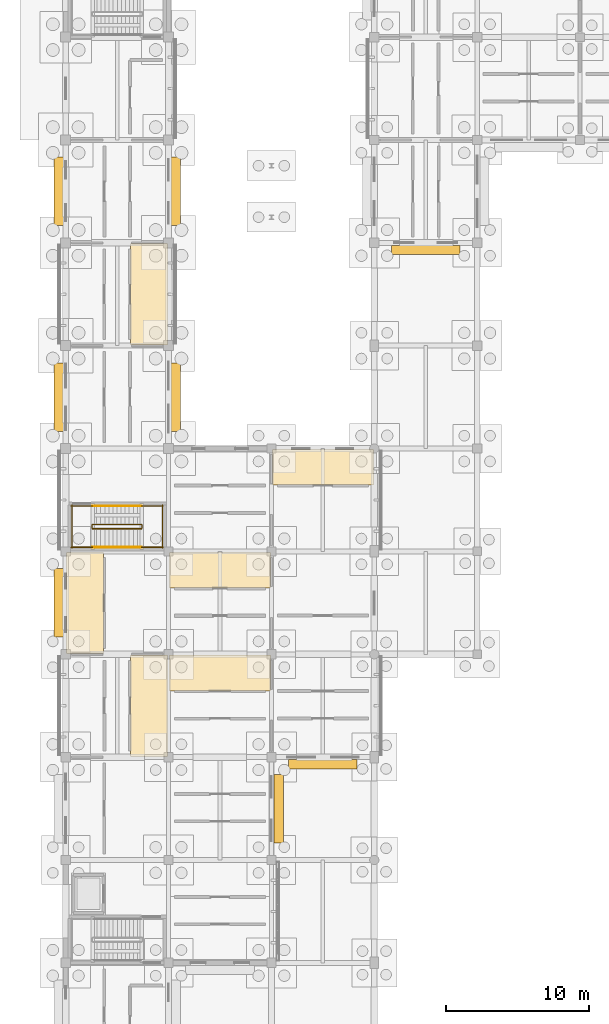
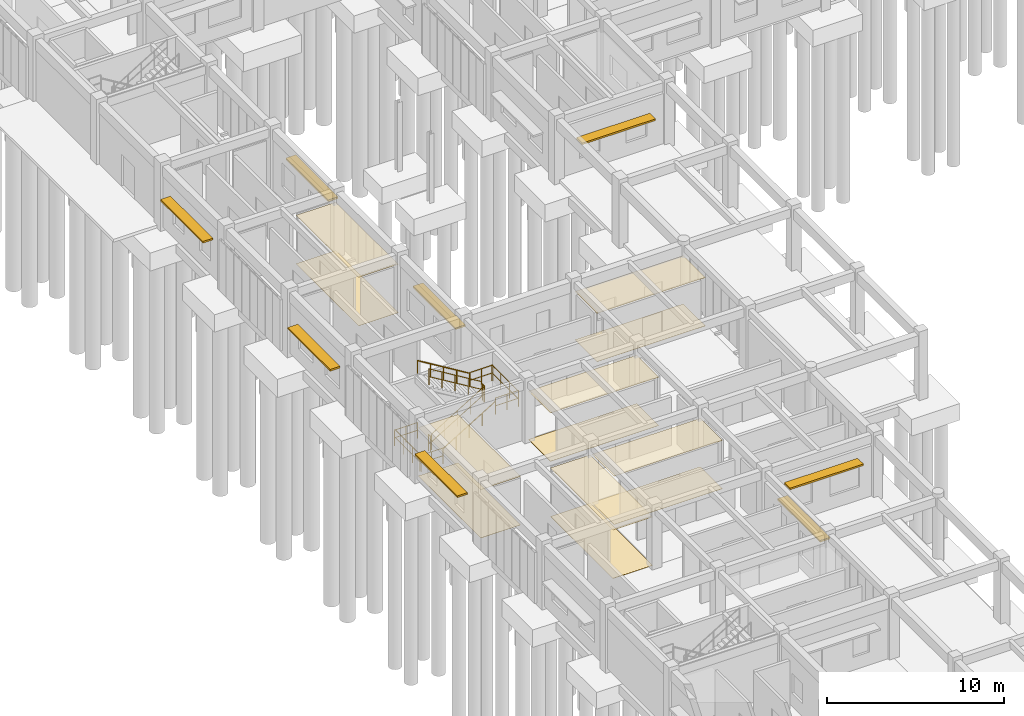
# One storey, part 92 of 111: 12 coverings, 12 railings, 8 shading devices.
"""IFC4 building model written with IfcOpenShell, lengths in metres."""

from ifc_helpers import new_model, si_unit, direction, frame, origin, origin_2d, place, context, subcontext, project, spatial, polyline, rectangle, circle, outline, extrude, material, layer, layer_set, type_object, element, save


model = new_model("IFC4")

# Units and contexts
model_context = context("Model", 3, precision=1e-05, world=origin(), true_north=direction((0.0, 1.0)))
body_context = subcontext(model_context, "Body", "Model", "MODEL_VIEW")
ifc_project = project(units=[si_unit("LENGTHUNIT", "METRE"), si_unit("AREAUNIT", "SQUARE_METRE"), si_unit("VOLUMEUNIT", "CUBIC_METRE"), si_unit("PLANEANGLEUNIT", "RADIAN"), si_unit("MASSUNIT", "GRAM", prefix="KILO")], contexts=[model_context])

# Site, building, storey
site_placement = place(None, origin())
site = spatial("IfcSite", under=ifc_project, at=site_placement, CompositionType="ELEMENT")
building_placement = place(site_placement, origin())
building = spatial("IfcBuilding", under=site, at=building_placement, Name="Aldebral Square Health Centre", CompositionType="ELEMENT")
storey_placement = place(building_placement, origin())
storey = spatial("IfcBuildingStorey", under=building, at=storey_placement, Name="L00", CompositionType="ELEMENT", Elevation=0.0)

# Coverings
ifc_material_1 = material(Name="Hygienic acoustic mineral ceiling tile")
ifc_layer_1 = layer(ifc_material_1, 0.02001953125, Name="Hygienic acoustic mineral ceiling tile")
ifc_layer_set_1 = layer_set([ifc_layer_1], Name="Hygienic acoustic mineral ceiling tile")
covering_type_1 = type_object("IfcCoveringType", Name="COV-CLG-AC", PredefinedType="CEILING", material=ifc_layer_set_1)
covering_1_placement = place(storey_placement, frame((0.0, 0.0, 3.340087890625)))
element("IfcCovering", 1, at=covering_1_placement, inside=storey, type_object=covering_type_1, Name="L00 General Consulting Room 1.8W acoustic ceiling", PredefinedType="CEILING", context=body_context, shape_type="SweptSolid", body=[
    extrude(outline(polyline([(0.06005859375, 50.4599609375), (2.659912109375, 50.4599609375), (2.659912109375, 57.5400390625), (0.06005859375, 57.5400390625), (0.06005859375, 50.4599609375)])), origin(), (0.0, 0.0, 1.0), 0.02001953125),
])
covering_2_placement = place(storey_placement, frame((0.0, 0.0, 3.340087890625)))
element("IfcCovering", 2, at=covering_2_placement, inside=storey, type_object=covering_type_1, Name="L00 Clean Clinical Store 1.11E acoustic ceiling", PredefinedType="CEILING", context=body_context, shape_type="SweptSolid", body=[
    extrude(outline(polyline([(4.5400390625, 72.06005859375), (7.139892578125, 72.06005859375), (7.139892578125, 79.139892578125), (4.5400390625, 79.139892578125), (4.5400390625, 72.06005859375)])), origin(), (0.0, 0.0, 1.0), 0.02001953125),
])
covering_3_placement = place(storey_placement, frame((0.0, 0.0, 3.340087890625)))
element("IfcCovering", 3, at=covering_3_placement, inside=storey, type_object=covering_type_1, Name="L00 Accessible WC 2.8N acoustic ceiling", PredefinedType="CEILING", context=body_context, shape_type="SweptSolid", body=[
    extrude(outline(polyline([(7.260009765625, 55.0400390625), (14.340087890625, 55.0400390625), (14.340087890625, 57.5400390625), (7.260009765625, 57.5400390625), (7.260009765625, 55.0400390625)])), origin(), (0.0, 0.0, 1.0), 0.02001953125),
])
covering_4_placement = place(storey_placement, frame((0.0, 0.0, 3.340087890625)))
element("IfcCovering", 4, at=covering_4_placement, inside=storey, type_object=covering_type_1, Name="L00 Patient Toilet 3.9N acoustic ceiling", PredefinedType="CEILING", context=body_context, shape_type="SweptSolid", body=[
    extrude(outline(polyline([(14.4599609375, 62.239990234375), (21.5400390625, 62.239990234375), (21.5400390625, 64.739990234375), (14.4599609375, 64.739990234375), (14.4599609375, 62.239990234375)])), origin(), (0.0, 0.0, 1.0), 0.02001953125),
])
covering_5_placement = place(storey_placement, frame((0.0, 0.0, 3.340087890625)))
element("IfcCovering", 5, at=covering_5_placement, inside=storey, type_object=covering_type_1, Name="L00 Community Room 1.7E acoustic ceiling", PredefinedType="CEILING", context=body_context, shape_type="SweptSolid", body=[
    extrude(outline(polyline([(4.5400390625, 43.260009765625), (7.139892578125, 43.260009765625), (7.139892578125, 50.340087890625), (4.5400390625, 50.340087890625), (4.5400390625, 43.260009765625)])), origin(), (0.0, 0.0, 1.0), 0.02001953125),
])
covering_6_placement = place(storey_placement, frame((0.0, 0.0, 3.340087890625)))
element("IfcCovering", 6, at=covering_6_placement, inside=storey, type_object=covering_type_1, Name="L00 Nutrition Teaching Studio 2.7N acoustic ceiling", PredefinedType="CEILING", context=body_context, shape_type="SweptSolid", body=[
    extrude(outline(polyline([(7.260009765625, 47.840087890625), (14.340087890625, 47.840087890625), (14.340087890625, 50.340087890625), (7.260009765625, 50.340087890625), (7.260009765625, 47.840087890625)])), origin(), (0.0, 0.0, 1.0), 0.02001953125),
])
ifc_material_2 = material(Name="Antimicrobial clinical vinyl flooring")
ifc_layer_2 = layer(ifc_material_2, 0.014892578125, Name="Antimicrobial clinical vinyl flooring")
ifc_layer_set_2 = layer_set([ifc_layer_2], Name="Antimicrobial clinical vinyl flooring")
covering_type_2 = type_object("IfcCoveringType", Name="COV-FLR-VN", PredefinedType="FLOORING", material=ifc_layer_set_2)
covering_7_placement = place(storey_placement, origin())
element("IfcCovering", 7, at=covering_7_placement, inside=storey, type_object=covering_type_2, Name="L00 General Consulting Room 1.8W clinical flooring", PredefinedType="FLOORING", context=body_context, shape_type="SweptSolid", body=[
    extrude(outline(polyline([(0.06005859375, 50.4599609375), (2.659912109375, 50.4599609375), (2.659912109375, 57.5400390625), (0.06005859375, 57.5400390625), (0.06005859375, 50.4599609375)])), origin(), (0.0, 0.0, 1.0), 0.014892578125),
])
covering_8_placement = place(storey_placement, origin())
element("IfcCovering", 8, at=covering_8_placement, inside=storey, type_object=covering_type_2, Name="L00 Clean Clinical Store 1.11E clinical flooring", PredefinedType="FLOORING", context=body_context, shape_type="SweptSolid", body=[
    extrude(outline(polyline([(4.5400390625, 72.06005859375), (7.139892578125, 72.06005859375), (7.139892578125, 79.139892578125), (4.5400390625, 79.139892578125), (4.5400390625, 72.06005859375)])), origin(), (0.0, 0.0, 1.0), 0.014892578125),
])
covering_9_placement = place(storey_placement, origin())
element("IfcCovering", 9, at=covering_9_placement, inside=storey, type_object=covering_type_2, Name="L00 Accessible WC 2.8N clinical flooring", PredefinedType="FLOORING", context=body_context, shape_type="SweptSolid", body=[
    extrude(outline(polyline([(7.260009765625, 55.0400390625), (14.340087890625, 55.0400390625), (14.340087890625, 57.5400390625), (7.260009765625, 57.5400390625), (7.260009765625, 55.0400390625)])), origin(), (0.0, 0.0, 1.0), 0.014892578125),
])
covering_10_placement = place(storey_placement, origin())
element("IfcCovering", 10, at=covering_10_placement, inside=storey, type_object=covering_type_2, Name="L00 Patient Toilet 3.9N clinical flooring", PredefinedType="FLOORING", context=body_context, shape_type="SweptSolid", body=[
    extrude(outline(polyline([(14.4599609375, 62.239990234375), (21.5400390625, 62.239990234375), (21.5400390625, 64.739990234375), (14.4599609375, 64.739990234375), (14.4599609375, 62.239990234375)])), origin(), (0.0, 0.0, 1.0), 0.014892578125),
])
covering_11_placement = place(storey_placement, origin())
element("IfcCovering", 11, at=covering_11_placement, inside=storey, type_object=covering_type_2, Name="L00 Community Room 1.7E clinical flooring", PredefinedType="FLOORING", context=body_context, shape_type="SweptSolid", body=[
    extrude(outline(polyline([(4.5400390625, 43.260009765625), (7.139892578125, 43.260009765625), (7.139892578125, 50.340087890625), (4.5400390625, 50.340087890625), (4.5400390625, 43.260009765625)])), origin(), (0.0, 0.0, 1.0), 0.014892578125),
])
covering_12_placement = place(storey_placement, origin())
element("IfcCovering", 12, at=covering_12_placement, inside=storey, type_object=covering_type_2, Name="L00 Nutrition Teaching Studio 2.7N clinical flooring", PredefinedType="FLOORING", context=body_context, shape_type="SweptSolid", body=[
    extrude(outline(polyline([(7.260009765625, 47.840087890625), (14.340087890625, 47.840087890625), (14.340087890625, 50.340087890625), (7.260009765625, 50.340087890625), (7.260009765625, 47.840087890625)])), origin(), (0.0, 0.0, 1.0), 0.014892578125),
])

# Railings
ifc_material_3 = material(Name="Painted steel S355JR stair guard", Category="steel")
railing_type_1 = type_object("IfcRailingType", Name="RL-ST-GRD", PredefinedType="GUARDRAIL", material=ifc_material_3)
railing_1_placement = place(storey_placement, frame((1.8798828125, 59.18994140625, 0.173095703125)))
element("IfcRailing", 13, at=railing_1_placement, inside=storey, type_object=railing_type_1, Name="L00 ST-11 stair guard 1", PredefinedType="GUARDRAIL", context=body_context, shape_type="SweptSolid", body=[
    extrude(circle(Radius=0.02392578125, at=origin_2d()), frame((0.0, 0.0, 1.09619140625), z_axis=(0.854745945586, 0.0, 0.519046595696), x_axis=(0.0, 1.0, 0.0)), (0.0, 0.0, 1.0), 4.00146484375),
    extrude(circle(Radius=0.02392578125, at=origin_2d()), frame((0.0, 0.0, 0.56005859375), z_axis=(0.854745945586, 0.0, 0.519046595696), x_axis=(0.0, 1.0, 0.0)), (0.0, 0.0, 1.0), 4.00146484375),
    extrude(circle(Radius=0.02099609375, at=origin_2d()), origin(), (0.0, 0.0, 1.0), 1.072021484375),
    extrude(circle(Radius=0.02099609375, at=origin_2d()), frame((0.85498046875, 0.0, 0.519287109375)), (0.0, 0.0, 1.0), 1.072021484375),
    extrude(circle(Radius=0.02099609375, at=origin_2d()), frame((1.7099609375, 0.0, 1.03857421875)), (0.0, 0.0, 1.0), 1.072021484375),
    extrude(circle(Radius=0.02099609375, at=origin_2d()), frame((2.565185546875, 0.0, 1.5576171875)), (0.0, 0.0, 1.0), 1.072021484375),
    extrude(circle(Radius=0.02099609375, at=origin_2d()), frame((3.420166015625, 0.0, 2.076904296875)), (0.0, 0.0, 1.0), 1.072021484375),
])
railing_2_placement = place(storey_placement, frame((5.35009765625, 59.239990234375, 2.25)))
element("IfcRailing", 14, at=railing_2_placement, inside=storey, type_object=railing_type_1, Name="L00 ST-11 stair guard 2", PredefinedType="GUARDRAIL", context=body_context, shape_type="SweptSolid", body=[
    extrude(circle(Radius=0.02392578125, at=origin_2d()), frame((0.0, 0.0, 1.09619140625), z_axis=(0.0, 1.0, 0.0), x_axis=(-1.0, 0.0, 0.0)), (0.0, 0.0, 1.0), 0.199951171875),
    extrude(circle(Radius=0.02392578125, at=origin_2d()), frame((0.0, 0.0, 0.56005859375), z_axis=(0.0, 1.0, 0.0), x_axis=(-1.0, 0.0, 0.0)), (0.0, 0.0, 1.0), 0.199951171875),
    extrude(circle(Radius=0.02099609375, at=origin_2d()), origin(), (0.0, 0.0, 1.0), 1.072021484375),
    extrude(circle(Radius=0.02099609375, at=origin_2d()), frame((0.0, 0.199951171875, 0.0)), (0.0, 0.0, 1.0), 1.072021484375),
])
for number, where, name in (
    (15, (5.300048828125, 57.889892578125, 2.25), "L00 ST-11 stair guard 3"),
    (16, (5.300048828125, 60.7900390625, 2.25), "L00 ST-11 stair guard 4"),
):
    element("IfcRailing", number, at=place(storey_placement, frame(where)), inside=storey, type_object=railing_type_1, Name=name, PredefinedType="GUARDRAIL", context=body_context, shape_type="SweptSolid", body=[
        extrude(circle(Radius=0.02392578125, at=origin_2d()), frame((0.0, 0.0, 1.09619140625), z_axis=(1.0, 0.0, 0.0), x_axis=(0.0, 1.0, 0.0)), (0.0, 0.0, 1.0), 1.52001953125),
        extrude(circle(Radius=0.02392578125, at=origin_2d()), frame((0.0, 0.0, 0.56005859375), z_axis=(1.0, 0.0, 0.0), x_axis=(0.0, 1.0, 0.0)), (0.0, 0.0, 1.0), 1.52001953125),
        extrude(circle(Radius=0.02099609375, at=origin_2d()), origin(), (0.0, 0.0, 1.0), 1.072021484375),
        extrude(circle(Radius=0.02099609375, at=origin_2d()), frame((0.760009765625, 0.0, 0.0)), (0.0, 0.0, 1.0), 1.072021484375),
        extrude(circle(Radius=0.02099609375, at=origin_2d()), frame((1.52001953125, 0.0, 0.0)), (0.0, 0.0, 1.0), 1.072021484375),
    ])
railing_3_placement = place(storey_placement, frame((6.77001953125, 57.840087890625, 2.25)))
element("IfcRailing", 17, at=railing_3_placement, inside=storey, type_object=railing_type_1, Name="L00 ST-11 stair guard 5", PredefinedType="GUARDRAIL", context=body_context, shape_type="SweptSolid", body=[
    extrude(circle(Radius=0.02392578125, at=origin_2d()), frame((0.0, 0.0, 1.09619140625), z_axis=(0.0, 1.0, 0.0), x_axis=(-1.0, 0.0, 0.0)), (0.0, 0.0, 1.0), 3.0),
    extrude(circle(Radius=0.02392578125, at=origin_2d()), frame((0.0, 0.0, 0.56005859375), z_axis=(0.0, 1.0, 0.0), x_axis=(-1.0, 0.0, 0.0)), (0.0, 0.0, 1.0), 3.0),
    extrude(circle(Radius=0.02099609375, at=origin_2d()), origin(), (0.0, 0.0, 1.0), 1.072021484375),
    extrude(circle(Radius=0.02099609375, at=origin_2d()), frame((0.0, 1.0, 0.0)), (0.0, 0.0, 1.0), 1.072021484375),
    extrude(circle(Radius=0.02099609375, at=origin_2d()), frame((0.0, 2.0, 0.0)), (0.0, 0.0, 1.0), 1.072021484375),
    extrude(circle(Radius=0.02099609375, at=origin_2d()), frame((0.0, 3.0, 0.0)), (0.0, 0.0, 1.0), 1.072021484375),
])
railing_4_placement = place(storey_placement, frame((5.300048828125, 59.489990234375, 2.423095703125)))
element("IfcRailing", 18, at=railing_4_placement, inside=storey, type_object=railing_type_1, Name="L00 ST-11 stair guard 6", PredefinedType="GUARDRAIL", context=body_context, shape_type="SweptSolid", body=[
    extrude(circle(Radius=0.02392578125, at=origin_2d()), frame((0.0, 0.0, 1.09619140625), z_axis=(-0.854745945586, 0.0, 0.519046595696), x_axis=(0.0, -1.0, 0.0)), (0.0, 0.0, 1.0), 4.00146484375),
    extrude(circle(Radius=0.02392578125, at=origin_2d()), frame((0.0, 0.0, 0.56005859375), z_axis=(-0.854745945586, 0.0, 0.519046595696), x_axis=(0.0, -1.0, 0.0)), (0.0, 0.0, 1.0), 4.00146484375),
    extrude(circle(Radius=0.02099609375, at=origin_2d()), origin(), (0.0, 0.0, 1.0), 1.072021484375),
    extrude(circle(Radius=0.02099609375, at=origin_2d()), frame((-0.85498046875, 0.0, 0.519287109375)), (0.0, 0.0, 1.0), 1.072021484375),
    extrude(circle(Radius=0.02099609375, at=origin_2d()), frame((-1.7099609375, 0.0, 1.03857421875)), (0.0, 0.0, 1.0), 1.072021484375),
    extrude(circle(Radius=0.02099609375, at=origin_2d()), frame((-2.565185546875, 0.0, 1.5576171875)), (0.0, 0.0, 1.0), 1.072021484375),
    extrude(circle(Radius=0.02099609375, at=origin_2d()), frame((-3.420166015625, 0.0, 2.076904296875)), (0.0, 0.0, 1.0), 1.072021484375),
])
railing_5_placement = place(storey_placement, frame((1.830078125, 59.239990234375, 0.0)))
element("IfcRailing", 19, at=railing_5_placement, inside=storey, type_object=railing_type_1, Name="L00 ST-11 stair guard 7", PredefinedType="GUARDRAIL", context=body_context, shape_type="SweptSolid", body=[
    extrude(circle(Radius=0.02392578125, at=origin_2d()), frame((0.0, 0.0, 1.09619140625), z_axis=(0.0, 1.0, 0.0), x_axis=(-1.0, 0.0, 0.0)), (0.0, 0.0, 1.0), 0.199951171875),
    extrude(circle(Radius=0.02392578125, at=origin_2d()), frame((0.0, 0.0, 0.56005859375), z_axis=(0.0, 1.0, 0.0), x_axis=(-1.0, 0.0, 0.0)), (0.0, 0.0, 1.0), 0.199951171875),
    extrude(circle(Radius=0.02099609375, at=origin_2d()), origin(), (0.0, 0.0, 1.0), 1.072021484375),
    extrude(circle(Radius=0.02099609375, at=origin_2d()), frame((0.0, 0.199951171875, 0.0)), (0.0, 0.0, 1.0), 1.072021484375),
])
for number, where, name in (
    (20, (0.3798828125, 57.889892578125, 0.0), "L00 ST-11 stair guard 8"),
    (21, (0.3798828125, 60.7900390625, 0.0), "L00 ST-11 stair guard 9"),
):
    element("IfcRailing", number, at=place(storey_placement, frame(where)), inside=storey, type_object=railing_type_1, Name=name, PredefinedType="GUARDRAIL", context=body_context, shape_type="SweptSolid", body=[
        extrude(circle(Radius=0.02392578125, at=origin_2d()), frame((0.0, 0.0, 1.09619140625), z_axis=(1.0, 0.0, 0.0), x_axis=(0.0, 1.0, 0.0)), (0.0, 0.0, 1.0), 1.5),
        extrude(circle(Radius=0.02392578125, at=origin_2d()), frame((0.0, 0.0, 0.56005859375), z_axis=(1.0, 0.0, 0.0), x_axis=(0.0, 1.0, 0.0)), (0.0, 0.0, 1.0), 1.5),
        extrude(circle(Radius=0.02099609375, at=origin_2d()), origin(), (0.0, 0.0, 1.0), 1.072021484375),
        extrude(circle(Radius=0.02099609375, at=origin_2d()), frame((0.75, 0.0, 0.0)), (0.0, 0.0, 1.0), 1.072021484375),
        extrude(circle(Radius=0.02099609375, at=origin_2d()), frame((1.5, 0.0, 0.0)), (0.0, 0.0, 1.0), 1.072021484375),
    ])
railing_6_placement = place(storey_placement, frame((0.429931640625, 57.840087890625, 0.0)))
element("IfcRailing", 22, at=railing_6_placement, inside=storey, type_object=railing_type_1, Name="L00 ST-11 stair guard 10", PredefinedType="GUARDRAIL", context=body_context, shape_type="SweptSolid", body=[
    extrude(circle(Radius=0.02392578125, at=origin_2d()), frame((0.0, 0.0, 1.09619140625), z_axis=(0.0, 1.0, 0.0), x_axis=(-1.0, 0.0, 0.0)), (0.0, 0.0, 1.0), 3.0),
    extrude(circle(Radius=0.02392578125, at=origin_2d()), frame((0.0, 0.0, 0.56005859375), z_axis=(0.0, 1.0, 0.0), x_axis=(-1.0, 0.0, 0.0)), (0.0, 0.0, 1.0), 3.0),
    extrude(circle(Radius=0.02099609375, at=origin_2d()), origin(), (0.0, 0.0, 1.0), 1.072021484375),
    extrude(circle(Radius=0.02099609375, at=origin_2d()), frame((0.0, 1.0, 0.0)), (0.0, 0.0, 1.0), 1.072021484375),
    extrude(circle(Radius=0.02099609375, at=origin_2d()), frame((0.0, 2.0, 0.0)), (0.0, 0.0, 1.0), 1.072021484375),
    extrude(circle(Radius=0.02099609375, at=origin_2d()), frame((0.0, 3.0, 0.0)), (0.0, 0.0, 1.0), 1.072021484375),
])
ifc_material_4 = material(Name="Brushed stainless steel handrail", Category="steel")
railing_type_2 = type_object("IfcRailingType", Name="RL-ST-HND", PredefinedType="HANDRAIL", material=ifc_material_4)
railing_7_placement = place(storey_placement, frame((1.8798828125, 57.889892578125, 0.173095703125)))
element("IfcRailing", 23, at=railing_7_placement, inside=storey, type_object=railing_type_2, Name="L00 ST-11 stair handrail 1", PredefinedType="HANDRAIL", context=body_context, shape_type="SweptSolid", body=[
    extrude(circle(Radius=0.02392578125, at=origin_2d()), frame((0.0, 0.0, 0.8759765625), z_axis=(0.854745945586, 0.0, 0.519046595696), x_axis=(0.0, 1.0, 0.0)), (0.0, 0.0, 1.0), 4.00146484375),
    extrude(circle(Radius=0.02099609375, at=origin_2d()), origin(), (0.0, 0.0, 1.0), 0.851806640625),
    extrude(circle(Radius=0.02099609375, at=origin_2d()), frame((0.85498046875, 0.0, 0.519287109375)), (0.0, 0.0, 1.0), 0.851806640625),
    extrude(circle(Radius=0.02099609375, at=origin_2d()), frame((1.7099609375, 0.0, 1.03857421875)), (0.0, 0.0, 1.0), 0.851806640625),
    extrude(circle(Radius=0.02099609375, at=origin_2d()), frame((2.565185546875, 0.0, 1.5576171875)), (0.0, 0.0, 1.0), 0.851806640625),
    extrude(circle(Radius=0.02099609375, at=origin_2d()), frame((3.420166015625, 0.0, 2.076904296875)), (0.0, 0.0, 1.0), 0.851806640625),
])
railing_8_placement = place(storey_placement, frame((5.300048828125, 60.7900390625, 2.423095703125)))
element("IfcRailing", 24, at=railing_8_placement, inside=storey, type_object=railing_type_2, Name="L00 ST-11 stair handrail 2", PredefinedType="HANDRAIL", context=body_context, shape_type="SweptSolid", body=[
    extrude(circle(Radius=0.02392578125, at=origin_2d()), frame((0.0, 0.0, 0.8759765625), z_axis=(-0.854745945586, 0.0, 0.519046595696), x_axis=(0.0, -1.0, 0.0)), (0.0, 0.0, 1.0), 4.00146484375),
    extrude(circle(Radius=0.02099609375, at=origin_2d()), origin(), (0.0, 0.0, 1.0), 0.851806640625),
    extrude(circle(Radius=0.02099609375, at=origin_2d()), frame((-0.85498046875, 0.0, 0.519287109375)), (0.0, 0.0, 1.0), 0.851806640625),
    extrude(circle(Radius=0.02099609375, at=origin_2d()), frame((-1.7099609375, 0.0, 1.03857421875)), (0.0, 0.0, 1.0), 0.851806640625),
    extrude(circle(Radius=0.02099609375, at=origin_2d()), frame((-2.565185546875, 0.0, 1.5576171875)), (0.0, 0.0, 1.0), 0.851806640625),
    extrude(circle(Radius=0.02099609375, at=origin_2d()), frame((-3.420166015625, 0.0, 2.076904296875)), (0.0, 0.0, 1.0), 0.851806640625),
])

# Shading devices
ifc_material_5 = material(Name="Sienna-terracotta solar hood", Category="masonry")
shading_device_type = type_object("IfcShadingDeviceType", Name="SHD-LVR-1", PredefinedType="JALOUSIE", material=ifc_material_5)
for number, where, z_axis, x_axis, name in (
    (25, (-0.4951171875, 54.0, 2.419921875), (0.0, 0.0, 1.0), (0.0, 1.0, 0.0), "L00 solar hood L00-V4-00-07-W"),
    (26, (-0.4951171875, 68.39990234375, 2.419921875), (0.0, 0.0, 1.0), (0.0, 1.0, 0.0), "L00 solar hood L00-V4-00-09-W"),
    (27, (7.695068359375, 68.39990234375, 2.419921875), (0.0, 0.0, 1.0), (0.0, 1.0, 0.0), "L00 solar hood L00-V4-00-09-E"),
    (28, (-0.4951171875, 82.800048828125, 2.5400390625), (0.0, 0.0, 1.0), (0.0, 1.0, 0.0), "L00 solar hood L00-V4-00-11-W"),
    (29, (7.695068359375, 82.800048828125, 2.5400390625), (0.0, 0.0, 1.0), (0.0, 1.0, 0.0), "L00 solar hood L00-V4-00-11-E"),
    (30, (14.905029296875, 39.60009765625, 2.669921875), (0.0, 0.0, 1.0), (0.0, 1.0, 0.0), "L00 solar hood L00-V6-01-05-E"),
    (31, (18.0, 42.695068359375, 2.800048828125), (0.0, 0.0, 1.0), (1.0, 0.0, 0.0), "L00 solar hood L00-V6-02-06-S"),
    (32, (25.199951171875, 78.695068359375, 2.300048828125), (0.0, 0.0, 1.0), (1.0, 0.0, 0.0), "L00 solar hood L00-V4-03-11-S"),
):
    element("IfcShadingDevice", number, at=place(storey_placement, frame(where, z_axis=z_axis, x_axis=x_axis)), inside=storey, type_object=shading_device_type, Name=name, PredefinedType="JALOUSIE", context=body_context, shape_type="SweptSolid", body=[
        extrude(rectangle(XDim=4.800048828125, YDim=0.64990234375, at=origin_2d()), origin(), (0.0, 0.0, 1.0), 0.1201171875),
    ])

save(model, "model.ifc")
